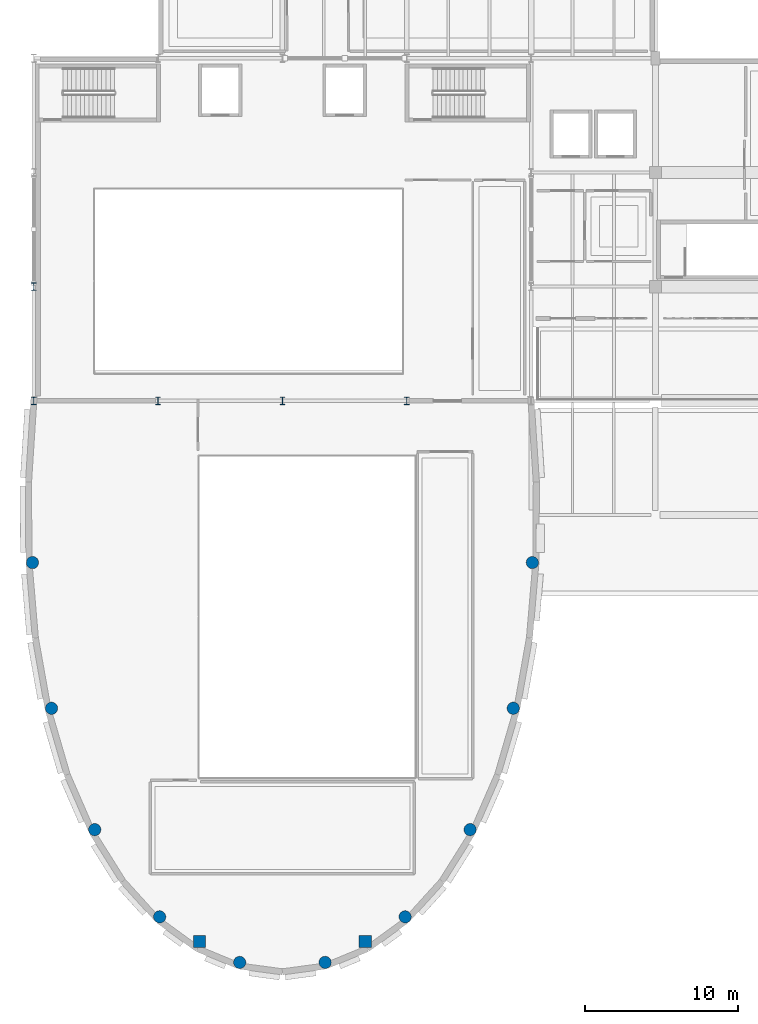
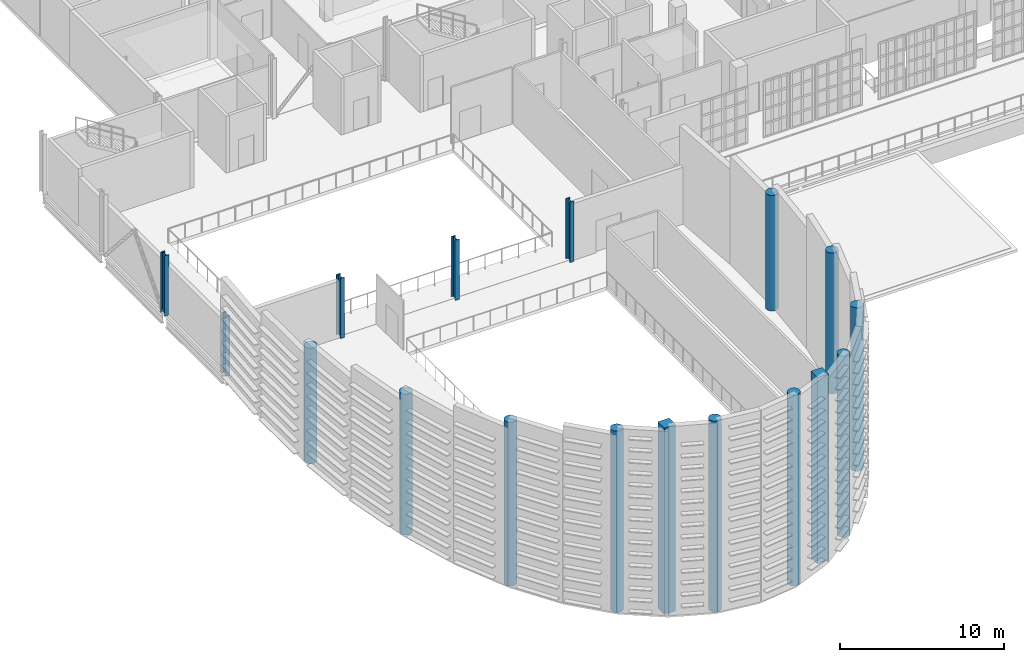
# One storey, part 1 of 56: 17 columns.
"""IFC4 building model written with IfcOpenShell, lengths in metres."""

from ifc_helpers import new_model, si_unit, direction, frame, origin, origin_2d, place, context, subcontext, project, spatial, rectangle, circle, i_section, extrude, material, material_profile, profile_set, type_object, element, save


model = new_model("IFC4")

# Units and contexts
model_context = context("Model", 3, precision=1e-05, world=origin(), true_north=direction((0.0, 1.0)))
body_context = subcontext(model_context, "Body", "Model", "MODEL_VIEW")
ifc_project = project(units=[si_unit("LENGTHUNIT", "METRE"), si_unit("AREAUNIT", "SQUARE_METRE"), si_unit("VOLUMEUNIT", "CUBIC_METRE"), si_unit("PLANEANGLEUNIT", "RADIAN"), si_unit("MASSUNIT", "GRAM", prefix="KILO")], contexts=[model_context])

# Site, building, storey
site_placement = place(None, origin())
site = spatial("IfcSite", under=ifc_project, at=site_placement, CompositionType="ELEMENT")
building_placement = place(site_placement, origin())
building = spatial("IfcBuilding", under=site, at=building_placement, Name="Kaelora Sail Theatre", CompositionType="ELEMENT")
storey_placement = place(building_placement, frame((0.0, 0.0, 14.699951171875)))
storey = spatial("IfcBuildingStorey", under=building, at=storey_placement, Name="L03", CompositionType="ELEMENT", Elevation=14.699951171875)

# Columns
ifc_material_1 = material(Name="Steel S355", Category="steel")
ifc_material_profile_1 = material_profile(ifc_material_1, i_section(OverallWidth=0.300048828125, OverallDepth=0.5, WebThickness=0.014404296875, FlangeThickness=0.028076171875, FilletRadius=0.027099609375, at=origin_2d()), Name="HEB 500")
ifc_profile_set_1 = profile_set([ifc_material_profile_1], Name="Steel S355")
column_type_1 = type_object("IfcColumnType", Name="STR-COL-C-HEB500", PredefinedType="COLUMN", material=ifc_profile_set_1)
for number, where, z_axis, x_axis, name in (
    (1, (25.800048828125, 61.02001953125, 0.0), (0.0, 0.0, 1.0), (1.0, 0.0, 0.0), "Column 4/I (L03)"),
    (2, (25.800048828125, 68.4599609375, 0.0), (0.0, 0.0, 1.0), (1.0, 0.0, 0.0), "Column 4/J (L03)"),
    (3, (33.89990234375, 61.02001953125, 0.0), (0.0, 0.0, 1.0), (1.0, 0.0, 0.0), "Column 5/I (L03)"),
    (4, (42.0, 61.02001953125, 0.0), (0.0, 0.0, 1.0), (1.0, 0.0, 0.0), "Column 6/I (L03)"),
    (5, (50.10009765625, 61.02001953125, 0.0), (0.0, 0.0, 1.0), (1.0, 0.0, 0.0), "Column 7/I (L03)"),
):
    element("IfcColumn", number, at=place(storey_placement, frame(where, z_axis=z_axis, x_axis=x_axis)), inside=storey, type_object=column_type_1, Name=name, PredefinedType="COLUMN", context=body_context, shape_type="SweptSolid", body=[
        extrude(i_section(OverallWidth=0.300048828125, OverallDepth=0.5, WebThickness=0.014404296875, FlangeThickness=0.028076171875, FilletRadius=0.027099609375, at=origin_2d()), origin(), (0.0, 0.0, 1.0), 4.5),
    ])
ifc_material_2 = material(Name="Concrete C50/60", Category="concrete")
ifc_material_profile_2 = material_profile(ifc_material_2, rectangle(XDim=0.800048828125, YDim=0.800048828125, at=origin_2d()), Name="RC-COL 800x800")
ifc_profile_set_2 = profile_set([ifc_material_profile_2], Name="Concrete C50/60")
column_type_2 = type_object("IfcColumnType", Name="STR-COL-C-RC800", PredefinedType="COLUMN", material=ifc_profile_set_2)
for number, where, z_axis, x_axis, name in (
    (6, (36.60009765625, 25.800048828125, 0.0), (0.0, 0.0, 1.0), (1.0, 0.0, 0.0), "Main shell prow fulcrum column W (L03)"),
    (7, (47.39990234375, 25.800048828125, 0.0), (0.0, 0.0, 1.0), (1.0, 0.0, 0.0), "Main shell prow fulcrum column E (L03)"),
):
    element("IfcColumn", number, at=place(storey_placement, frame(where, z_axis=z_axis, x_axis=x_axis)), inside=storey, type_object=column_type_2, Name=name, PredefinedType="COLUMN", context=body_context, shape_type="SweptSolid", body=[
        extrude(rectangle(XDim=0.800048828125, YDim=0.800048828125, at=origin_2d()), origin(), (0.0, 0.0, 1.0), 13.9091796875),
    ])
ifc_material_3 = material(Name="Concrete C50/60", Category="concrete")
ifc_material_profile_3 = material_profile(ifc_material_3, circle(Radius=0.39990234375, at=origin_2d()), Name="RC-CCOL D800")
ifc_profile_set_3 = profile_set([ifc_material_profile_3], Name="Concrete C50/60")
column_type_3 = type_object("IfcColumnType", Name="STR-COL-C-RCD800", PredefinedType="COLUMN", material=ifc_profile_set_3)
column_1_placement = place(storey_placement, frame((58.28369140625, 50.482421875, 0.0), z_axis=(0.0, 0.0, 1.0), x_axis=(1.0, 0.0, 0.0)))
element("IfcColumn", 8, at=column_1_placement, inside=storey, type_object=column_type_3, Name="Main drum perimeter column MK02 (L03)", PredefinedType="COLUMN", context=body_context, shape_type="SweptSolid", body=[
    extrude(circle(Radius=0.39990234375, at=origin_2d()), origin(), (0.0, 0.0, 1.0), 8.62060546875),
])
column_2_placement = place(storey_placement, frame((57.040283203125, 40.99072265625, 0.0), z_axis=(0.0, 0.0, 1.0), x_axis=(1.0, 0.0, 0.0)))
element("IfcColumn", 9, at=column_2_placement, inside=storey, type_object=column_type_3, Name="Main drum perimeter column MK04 (L03)", PredefinedType="COLUMN", context=body_context, shape_type="SweptSolid", body=[
    extrude(circle(Radius=0.39990234375, at=origin_2d()), origin(), (0.0, 0.0, 1.0), 10.504638671875),
])
column_3_placement = place(storey_placement, frame((54.228759765625, 33.08349609375, 0.0), z_axis=(0.0, 0.0, 1.0), x_axis=(1.0, 0.0, 0.0)))
element("IfcColumn", 10, at=column_3_placement, inside=storey, type_object=column_type_3, Name="Main drum perimeter column MK06 (L03)", PredefinedType="COLUMN", context=body_context, shape_type="SweptSolid", body=[
    extrude(circle(Radius=0.39990234375, at=origin_2d()), origin(), (0.0, 0.0, 1.0), 12.208251953125),
])
column_4_placement = place(storey_placement, frame((49.997314453125, 27.403076171875, 0.0), z_axis=(0.0, 0.0, 1.0), x_axis=(1.0, 0.0, 0.0)))
element("IfcColumn", 11, at=column_4_placement, inside=storey, type_object=column_type_3, Name="Main drum perimeter column MK08 (L03)", PredefinedType="COLUMN", context=body_context, shape_type="SweptSolid", body=[
    extrude(circle(Radius=0.39990234375, at=origin_2d()), origin(), (0.0, 0.0, 1.0), 13.52392578125),
])
for number, where, z_axis, x_axis, name in (
    (12, (44.78271484375, 24.436767578125, 0.0), (0.0, 0.0, 1.0), (1.0, 0.0, 0.0), "Main drum perimeter column MK10 (L03)"),
    (13, (39.21728515625, 24.436767578125, 0.0), (0.0, 0.0, 1.0), (1.0, 0.0, 0.0), "Main drum perimeter column MK12 (L03)"),
):
    element("IfcColumn", number, at=place(storey_placement, frame(where, z_axis=z_axis, x_axis=x_axis)), inside=storey, type_object=column_type_3, Name=name, PredefinedType="COLUMN", context=body_context, shape_type="SweptSolid", body=[
        extrude(circle(Radius=0.39990234375, at=origin_2d()), origin(), (0.0, 0.0, 1.0), 14.23681640625),
    ])
column_5_placement = place(storey_placement, frame((34.002685546875, 27.403076171875, 0.0), z_axis=(0.0, 0.0, 1.0), x_axis=(1.0, 0.0, 0.0)))
element("IfcColumn", 14, at=column_5_placement, inside=storey, type_object=column_type_3, Name="Main drum perimeter column MK14 (L03)", PredefinedType="COLUMN", context=body_context, shape_type="SweptSolid", body=[
    extrude(circle(Radius=0.39990234375, at=origin_2d()), origin(), (0.0, 0.0, 1.0), 13.52392578125),
])
column_6_placement = place(storey_placement, frame((29.771240234375, 33.08349609375, 0.0), z_axis=(0.0, 0.0, 1.0), x_axis=(1.0, 0.0, 0.0)))
element("IfcColumn", 15, at=column_6_placement, inside=storey, type_object=column_type_3, Name="Main drum perimeter column MK16 (L03)", PredefinedType="COLUMN", context=body_context, shape_type="SweptSolid", body=[
    extrude(circle(Radius=0.39990234375, at=origin_2d()), origin(), (0.0, 0.0, 1.0), 12.208251953125),
])
column_7_placement = place(storey_placement, frame((26.959716796875, 40.99072265625, 0.0), z_axis=(0.0, 0.0, 1.0), x_axis=(1.0, 0.0, 0.0)))
element("IfcColumn", 16, at=column_7_placement, inside=storey, type_object=column_type_3, Name="Main drum perimeter column MK18 (L03)", PredefinedType="COLUMN", context=body_context, shape_type="SweptSolid", body=[
    extrude(circle(Radius=0.39990234375, at=origin_2d()), origin(), (0.0, 0.0, 1.0), 10.504638671875),
])
column_8_placement = place(storey_placement, frame((25.71630859375, 50.482421875, 0.0), z_axis=(0.0, 0.0, 1.0), x_axis=(1.0, 0.0, 0.0)))
element("IfcColumn", 17, at=column_8_placement, inside=storey, type_object=column_type_3, Name="Main drum perimeter column MK20 (L03)", PredefinedType="COLUMN", context=body_context, shape_type="SweptSolid", body=[
    extrude(circle(Radius=0.39990234375, at=origin_2d()), origin(), (0.0, 0.0, 1.0), 8.62060546875),
])

save(model, "model.ifc")
